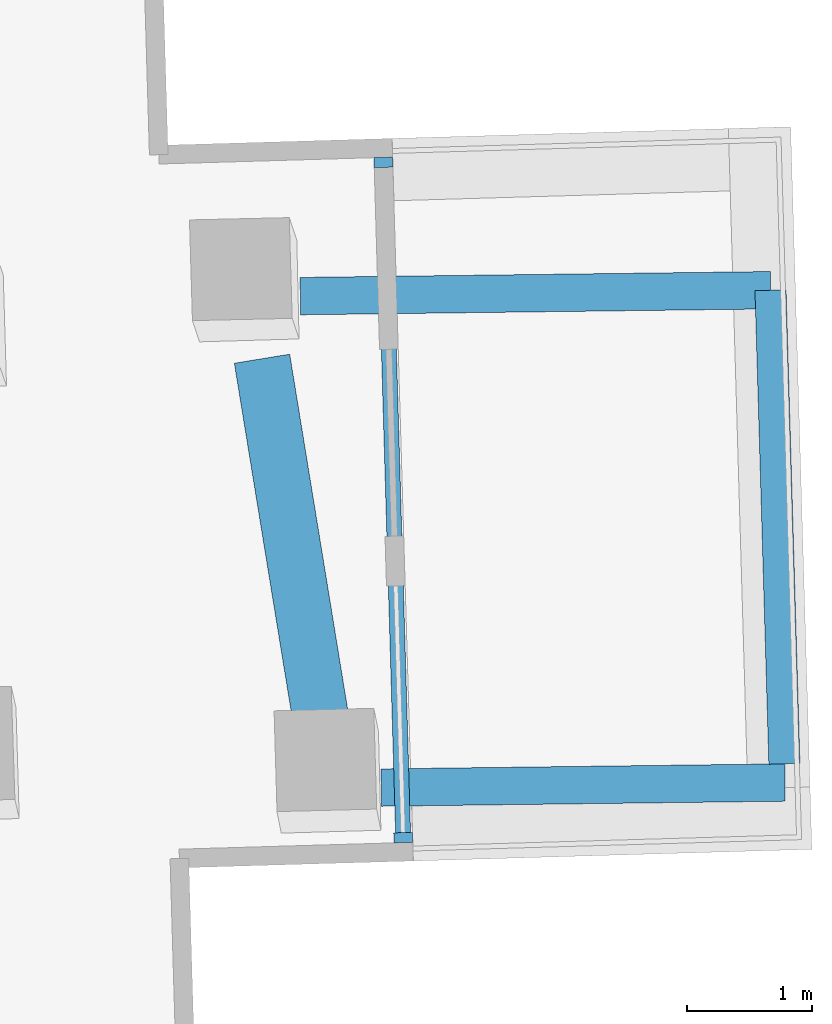
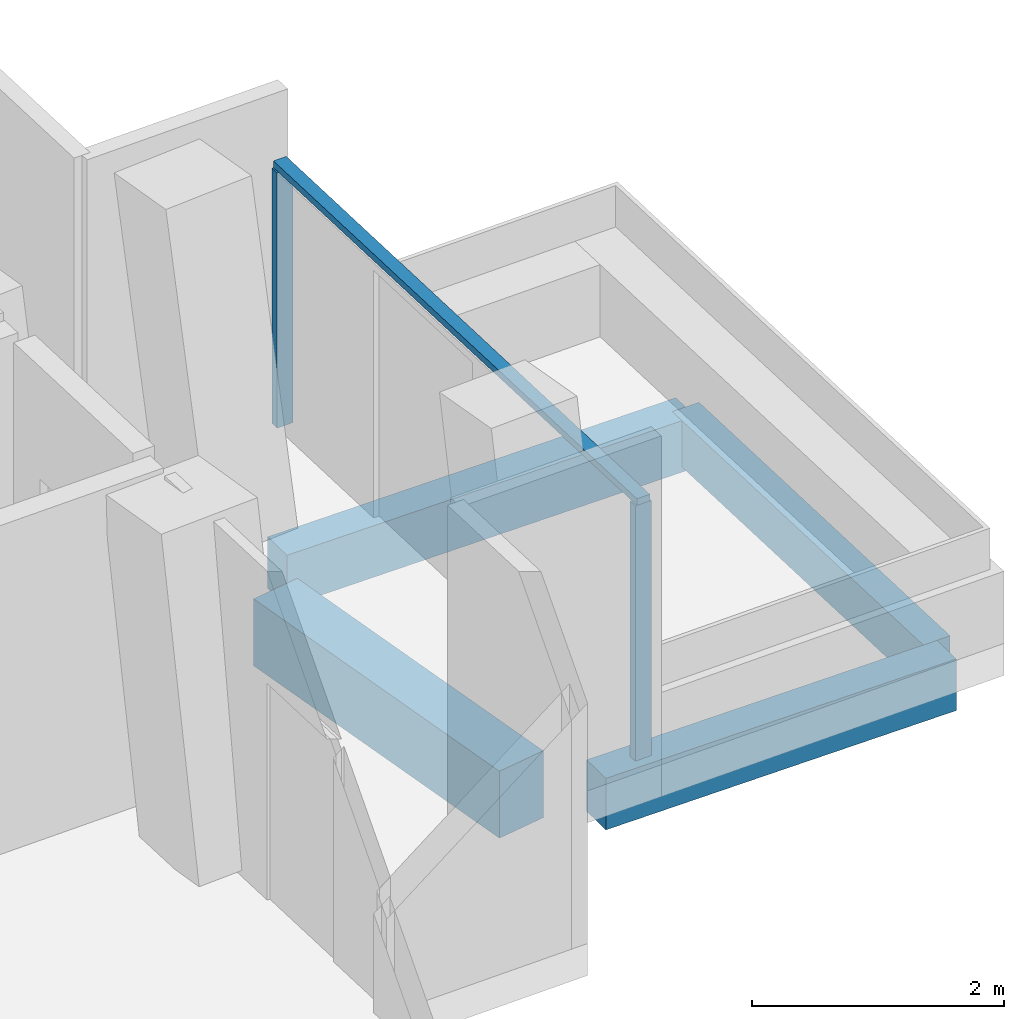
# One storey, part 6 of 22: 4 beams, 3 members, 1 element without a shape of its own.
"""IFC4 building model written with IfcOpenShell, lengths in metres."""

from ifc_helpers import new_model, si_unit, direction, frame, origin, origin_2d, place, context, subcontext, project, spatial, rectangle, extrude, material, layer, layer_set, material_profile, profile_set, type_object, element, aggregate, save


model = new_model("IFC4")

# Units and contexts
model_context = context("Model", 3, precision=1e-05, world=origin(), true_north=direction((0.0, 1.0)))
body_context = subcontext(model_context, "Body", "Model", "MODEL_VIEW")
ifc_project = project(units=[si_unit("LENGTHUNIT", "METRE"), si_unit("AREAUNIT", "SQUARE_METRE"), si_unit("VOLUMEUNIT", "CUBIC_METRE"), si_unit("PLANEANGLEUNIT", "RADIAN"), si_unit("MASSUNIT", "GRAM", prefix="KILO")], contexts=[model_context])

# Site, building, storey
site_placement = place(None, origin())
site = spatial("IfcSite", under=ifc_project, at=site_placement, CompositionType="ELEMENT")
building_placement = place(site_placement, origin())
building = spatial("IfcBuilding", under=site, at=building_placement, Name="Verdalira Terraces Hotel", CompositionType="ELEMENT")
storey_placement = place(building_placement, frame((0.0, 0.0, 162.0)))
storey = spatial("IfcBuildingStorey", under=building, at=storey_placement, Name="L39", CompositionType="ELEMENT", Elevation=162.0)

# Beams
ifc_material_1 = material(Name="Concrete C40", Category="concrete")
ifc_material_profile_1 = material_profile(ifc_material_1, rectangle(XDim=0.300049, YDim=0.5, at=origin_2d()), Name="RC 300X500")
ifc_profile_set_1 = profile_set([ifc_material_profile_1], Name="Concrete C40")
beam_type_1 = type_object("IfcBeamType", Name="Balcony cantilever beam RC 300X500 C40", PredefinedType="BEAM", material=ifc_profile_set_1)
beam_1_placement = place(storey_placement, frame((32.036621, -1.36499, -0.560059), z_axis=(0.999921719, 0.012512212, 0.0), x_axis=(-0.012512212, 0.999921719, 0.0)))
element("IfcBeam", 1, at=beam_1_placement, inside=storey, type_object=beam_type_1, Name="Balcony cantilever beam R33-1", PredefinedType="BEAM", context=body_context, shape_type="SweptSolid", body=[
    extrude(rectangle(XDim=0.300049, YDim=0.5, at=origin_2d()), origin(), (0.0, 0.0, 1.0), 3.239014),
])
beam_2_placement = place(storey_placement, frame((31.386719, 2.578369, -0.560059), z_axis=(0.999921216, 0.012552395, 0.0), x_axis=(-0.012552395, 0.999921216, 0.0)))
element("IfcBeam", 2, at=beam_2_placement, inside=storey, type_object=beam_type_1, Name="Balcony cantilever beam R33-2", PredefinedType="BEAM", context=body_context, shape_type="SweptSolid", body=[
    extrude(rectangle(XDim=0.300049, YDim=0.5, at=origin_2d()), origin(), (0.0, 0.0, 1.0), 3.773193),
])
ifc_material_2 = material(Name="Concrete C40", Category="concrete")
ifc_material_profile_2 = material_profile(ifc_material_2, rectangle(XDim=0.25, YDim=0.449951, at=origin_2d()), Name="RC 250X450")
ifc_profile_set_2 = profile_set([ifc_material_profile_2], Name="Concrete C40")
beam_type_2 = type_object("IfcBeamType", Name="Balcony edge beam RC 250X450 C40", PredefinedType="BEAM", material=ifc_profile_set_2)
beam_3_placement = place(storey_placement, frame((35.270996, -1.174561, -0.534912), z_axis=(-0.029282055, 0.999571189, 0.0), x_axis=(-0.999571189, -0.029282055, 0.0)))
element("IfcBeam", 3, at=beam_3_placement, inside=storey, type_object=beam_type_2, Name="Balcony edge beam R33-1", PredefinedType="BEAM", context=body_context, shape_type="SweptSolid", body=[
    extrude(rectangle(XDim=0.25, YDim=0.449951, at=origin_2d()), origin(), (0.0, 0.0, 1.0), 3.802002),
])

# Curtain wall, members
ifc_material_3 = material(Name="Clear glass", Category="glass")
ifc_layer = layer(ifc_material_3, 0.14990234375)
ifc_layer_set = layer_set([ifc_layer], Name="CW3 curtain wall")
curtain_wall_type = type_object("IfcCurtainWallType", Name="CW3 curtain wall", PredefinedType="NOTDEFINED", material=ifc_layer_set)
curtain_wall_placement = place(storey_placement, origin())
curtain_wall = element("IfcCurtainWall", 4, at=curtain_wall_placement, inside=storey, type_object=curtain_wall_type, Name="CW3 curtain wall L39 edge 33", PredefinedType="NOTDEFINED")
ifc_material_4 = material(Name="Terracotta frame", Category="masonry")
ifc_material_profile_3 = material_profile(ifc_material_4, rectangle(XDim=0.080078, YDim=0.149902, at=origin_2d()), Name="MU 80x150")
ifc_profile_set_3 = profile_set([ifc_material_profile_3], Name="Terracotta frame")
member_type_1 = type_object("IfcMemberType", Name="CW3 mullion 80x150", PredefinedType="MULLION", material=ifc_profile_set_3)
member_1_placement = place(storey_placement, frame((32.212158, -1.766357, 0.0), z_axis=(0.0, 0.0, 1.0), x_axis=(-0.02931733, 0.999570155, 0.0)))
member_1 = element("IfcMember", 5, at=member_1_placement, type_object=member_type_1, Name="CW3 mullion", PredefinedType="MULLION", context=body_context, shape_type="SweptSolid", body=[
    extrude(rectangle(XDim=0.080078, YDim=0.149902, at=origin_2d()), origin(), (0.0, 0.0, 1.0), 2.475098),
])
member_2_placement = place(storey_placement, frame((32.053223, 3.651367, 0.0), z_axis=(0.0, 0.0, 1.0), x_axis=(-0.02931733, 0.999570155, 0.0)))
member_2 = element("IfcMember", 6, at=member_2_placement, type_object=member_type_1, Name="CW3 mullion", PredefinedType="MULLION", context=body_context, shape_type="SweptSolid", body=[
    extrude(rectangle(XDim=0.080078, YDim=0.149902, at=origin_2d()), origin(), (0.0, 0.0, 1.0), 2.475098),
])
ifc_material_5 = material(Name="Terracotta frame", Category="masonry")
ifc_material_profile_4 = material_profile(ifc_material_5, rectangle(XDim=0.120117, YDim=0.064941, at=origin_2d()), Name="TR 65x120")
ifc_profile_set_4 = profile_set([ifc_material_profile_4], Name="Terracotta frame")
member_type_2 = type_object("IfcMemberType", Name="CW3 transom 65x120", PredefinedType="USERDEFINED", material=ifc_profile_set_4)
member_3_placement = place(storey_placement, frame((32.213379, -1.806396, 2.507568), z_axis=(-0.029341656, 0.999569441, 0.0), x_axis=(-0.999569441, -0.029341656, 0.0)))
member_3 = element("IfcMember", 7, at=member_3_placement, type_object=member_type_2, Name="CW3 transom", ObjectType="TRANSOM", PredefinedType="USERDEFINED", context=body_context, shape_type="SweptSolid", body=[
    extrude(rectangle(XDim=0.120117, YDim=0.064941, at=origin_2d()), origin(), (0.0, 0.0, 1.0), 5.5),
])
aggregate(curtain_wall, [member_1, member_2, member_3])

# Beam
ifc_material_6 = material(Name="Concrete C50", Category="concrete")
ifc_material_profile_5 = material_profile(ifc_material_6, rectangle(XDim=0.449951, YDim=0.649902, at=origin_2d()), Name="RC 450X650")
ifc_profile_set_5 = profile_set([ifc_material_profile_5], Name="Concrete C50")
beam_type_3 = type_object("IfcBeamType", Name="Spandrel beam RC 450X650 C50", PredefinedType="SPANDREL", material=ifc_profile_set_5)
beam_4_placement = place(storey_placement, frame((31.57666, -0.970215, -0.63501), z_axis=(-0.161114604, 0.986935704, 0.0), x_axis=(-0.986935704, -0.161114604, 0.0)))
element("IfcBeam", 8, at=beam_4_placement, inside=storey, type_object=beam_type_3, Name="Spandrel beam B16", PredefinedType="SPANDREL", context=body_context, shape_type="SweptSolid", body=[
    extrude(rectangle(XDim=0.449951, YDim=0.649902, at=origin_2d()), origin(), (0.0, 0.0, 1.0), 3.08667),
])

save(model, "model.ifc")
